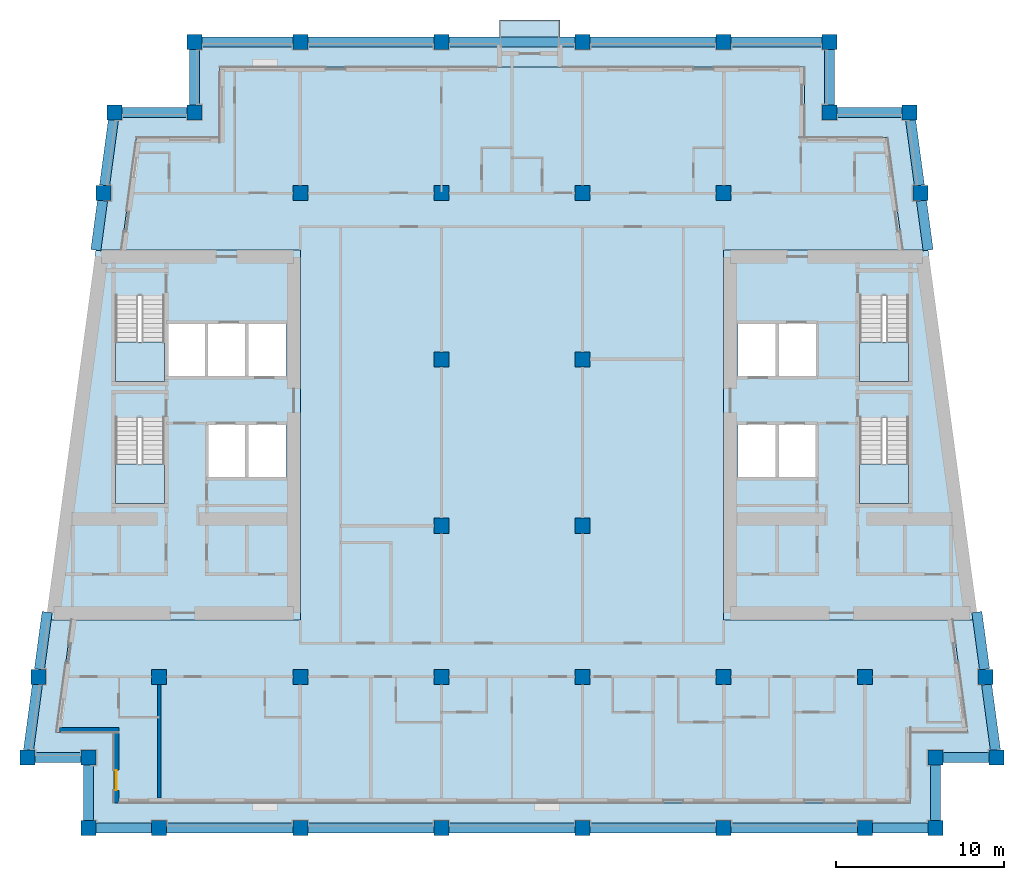
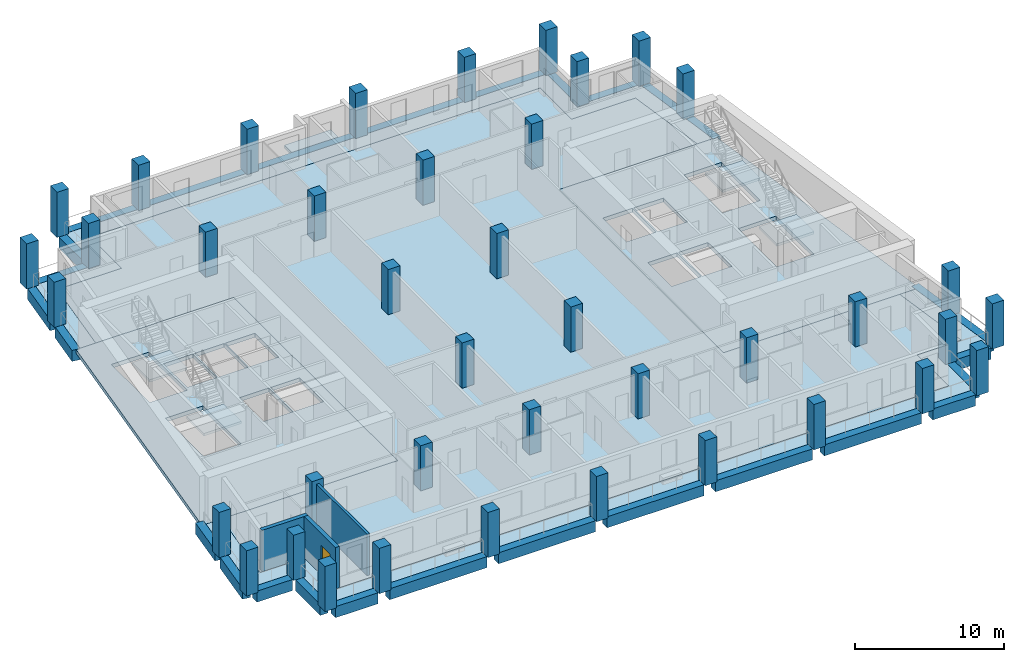
# One storey, part 1 of 13: 40 columns, 28 beams, 10 slabs, 3 walls, 1 door, 1 opening, 4 elements without a shape of their own.
"""IFC4 building model written with IfcOpenShell, lengths in metres."""

from ifc_helpers import new_model, si_unit, direction, frame, frame_2d, origin, origin_2d, place, context, subcontext, project, spatial, polyline, rectangle, outline, extrude, material, layer, layer_set, material_profile, profile_set, type_object, element, fill, aggregate, save


model = new_model("IFC4")

# Units and contexts
model_context = context("Model", 3, precision=1e-05, world=origin(), true_north=direction((0.0, 1.0)))
body_context = subcontext(model_context, "Body", "Model", "MODEL_VIEW")
ifc_project = project(units=[si_unit("LENGTHUNIT", "METRE"), si_unit("AREAUNIT", "SQUARE_METRE"), si_unit("VOLUMEUNIT", "CUBIC_METRE"), si_unit("PLANEANGLEUNIT", "RADIAN"), si_unit("MASSUNIT", "GRAM", prefix="KILO")], contexts=[model_context])

# Site, building, storey
site_placement = place(None, origin())
site = spatial("IfcSite", under=ifc_project, at=site_placement, CompositionType="ELEMENT")
building_placement = place(site_placement, origin())
building = spatial("IfcBuilding", under=site, at=building_placement, Name="Candeia Pilgrim Tower and Theatre", CompositionType="ELEMENT")
storey_placement = place(building_placement, frame((0.0, 0.0, 220.699951171875)))
storey = spatial("IfcBuildingStorey", under=building, at=storey_placement, Name="L53", CompositionType="ELEMENT", Elevation=220.699951171875)

# Columns
ifc_material_1 = material(Name="Concrete C50/60", Category="concrete")
ifc_material_profile_1 = material_profile(ifc_material_1, rectangle(XDim=0.89990234375, YDim=0.89990234375, at=origin_2d()))
ifc_profile_set_1 = profile_set([ifc_material_profile_1], Name="Concrete C50/60")
column_type = type_object("IfcColumnType", Name="RC 900x900 C50/60", PredefinedType="COLUMN", material=ifc_profile_set_1)
for number, where, z_axis, x_axis, name in (
    (1, (92.39990234375, 98.0, 0.0), (0.0, 0.0, 1.0), (1.0, 0.0, 0.0), "Column A1"),
    (2, (100.800048828125, 98.0, 0.0), (0.0, 0.0, 1.0), (1.0, 0.0, 0.0), "Column A2"),
    (3, (109.199951171875, 98.0, 0.0), (0.0, 0.0, 1.0), (1.0, 0.0, 0.0), "Column A3"),
    (4, (117.60009765625, 98.0, 0.0), (0.0, 0.0, 1.0), (1.0, 0.0, 0.0), "Column A4"),
    (5, (126.0, 98.0, 0.0), (0.0, 0.0, 1.0), (1.0, 0.0, 0.0), "Column A5"),
    (6, (134.39990234375, 98.0, 0.0), (0.0, 0.0, 1.0), (1.0, 0.0, 0.0), "Column A6"),
    (7, (88.199951171875, 98.0, 0.0), (0.0, 0.0, 1.0), (1.0, 0.0, 0.0), "Column AW"),
    (8, (138.60009765625, 98.0, 0.0), (0.0, 0.0, 1.0), (1.0, 0.0, 0.0), "Column AE"),
    (9, (88.199951171875, 102.199951171875, 0.0), (0.0, 0.0, 1.0), (1.0, 0.0, 0.0), "Column NSW"),
    (10, (138.60009765625, 102.199951171875, 0.0), (0.0, 0.0, 1.0), (1.0, 0.0, 0.0), "Column NSE"),
    (11, (94.5, 140.60009765625, 0.0), (0.0, 0.0, 1.0), (1.0, 0.0, 0.0), "Column NNW"),
    (12, (132.300048828125, 140.60009765625, 0.0), (0.0, 0.0, 1.0), (1.0, 0.0, 0.0), "Column NNE"),
    (13, (84.5654296875, 102.199951171875, 0.0), (0.0, 0.0, 1.0), (1.0, 0.0, 0.0), "Column LSW"),
    (14, (142.234619140625, 102.199951171875, 0.0), (0.0, 0.0, 1.0), (1.0, 0.0, 0.0), "Column LSE"),
    (15, (89.734619140625, 140.60009765625, 0.0), (0.0, 0.0, 1.0), (1.0, 0.0, 0.0), "Column LNW"),
    (16, (137.0654296875, 140.60009765625, 0.0), (0.0, 0.0, 1.0), (1.0, 0.0, 0.0), "Column LNE"),
    (17, (92.39990234375, 107.0, 0.0), (0.0, 0.0, 1.0), (1.0, 0.0, 0.0), "Column B1"),
    (18, (100.800048828125, 107.0, 0.0), (0.0, 0.0, 1.0), (1.0, 0.0, 0.0), "Column B2"),
    (19, (109.199951171875, 107.0, 0.0), (0.0, 0.0, 1.0), (1.0, 0.0, 0.0), "Column B3"),
    (20, (117.60009765625, 107.0, 0.0), (0.0, 0.0, 1.0), (1.0, 0.0, 0.0), "Column B4"),
    (21, (126.0, 107.0, 0.0), (0.0, 0.0, 1.0), (1.0, 0.0, 0.0), "Column B5"),
    (22, (134.39990234375, 107.0, 0.0), (0.0, 0.0, 1.0), (1.0, 0.0, 0.0), "Column B6"),
    (23, (85.21142578125, 107.0, 0.0), (0.0, 0.0, 1.0), (1.0, 0.0, 0.0), "Column BW"),
    (24, (141.58837890625, 107.0, 0.0), (0.0, 0.0, 1.0), (1.0, 0.0, 0.0), "Column BE"),
    (25, (109.199951171875, 116.0, 0.0), (0.0, 0.0, 1.0), (1.0, 0.0, 0.0), "Column C3"),
    (26, (117.60009765625, 116.0, 0.0), (0.0, 0.0, 1.0), (1.0, 0.0, 0.0), "Column C4"),
    (27, (109.199951171875, 125.89990234375, 0.0), (0.0, 0.0, 1.0), (1.0, 0.0, 0.0), "Column D3"),
    (28, (117.60009765625, 125.89990234375, 0.0), (0.0, 0.0, 1.0), (1.0, 0.0, 0.0), "Column D4"),
    (29, (100.800048828125, 135.800048828125, 0.0), (0.0, 0.0, 1.0), (1.0, 0.0, 0.0), "Column E2"),
    (30, (109.199951171875, 135.800048828125, 0.0), (0.0, 0.0, 1.0), (1.0, 0.0, 0.0), "Column E3"),
    (31, (117.60009765625, 135.800048828125, 0.0), (0.0, 0.0, 1.0), (1.0, 0.0, 0.0), "Column E4"),
    (32, (126.0, 135.800048828125, 0.0), (0.0, 0.0, 1.0), (1.0, 0.0, 0.0), "Column E5"),
    (33, (89.08837890625, 135.800048828125, 0.0), (0.0, 0.0, 1.0), (1.0, 0.0, 0.0), "Column EW"),
    (34, (137.71142578125, 135.800048828125, 0.0), (0.0, 0.0, 1.0), (1.0, 0.0, 0.0), "Column EE"),
    (35, (100.800048828125, 144.800048828125, 0.0), (0.0, 0.0, 1.0), (1.0, 0.0, 0.0), "Column F2"),
    (36, (109.199951171875, 144.800048828125, 0.0), (0.0, 0.0, 1.0), (1.0, 0.0, 0.0), "Column F3"),
    (37, (117.60009765625, 144.800048828125, 0.0), (0.0, 0.0, 1.0), (1.0, 0.0, 0.0), "Column F4"),
    (38, (126.0, 144.800048828125, 0.0), (0.0, 0.0, 1.0), (1.0, 0.0, 0.0), "Column F5"),
    (39, (94.5, 144.800048828125, 0.0), (0.0, 0.0, 1.0), (1.0, 0.0, 0.0), "Column FW"),
    (40, (132.300048828125, 144.800048828125, 0.0), (0.0, 0.0, 1.0), (1.0, 0.0, 0.0), "Column FE"),
):
    element("IfcColumn", number, at=place(storey_placement, frame(where, z_axis=z_axis, x_axis=x_axis)), inside=storey, type_object=column_type, Name=name, PredefinedType="COLUMN", context=body_context, shape_type="SweptSolid", body=[
        extrude(rectangle(XDim=0.89990234375, YDim=0.89990234375, at=origin_2d()), origin(), (0.0, 0.0, 1.0), 3.699951171875),
    ])

# Beams
ifc_material_profile_2 = material_profile(ifc_material_1, rectangle(XDim=0.60009765625, YDim=0.89990234375, at=origin_2d()))
ifc_profile_set_2 = profile_set([ifc_material_profile_2], Name="Concrete C50/60")
beam_type = type_object("IfcBeamType", Name="RC 600x900 C50/60", PredefinedType="BEAM", material=ifc_profile_set_2)
beam_1_placement = place(storey_placement, frame((88.64990234375, 98.0, -0.449951171875), z_axis=(1.0, 0.0, 0.0), x_axis=(0.0, 1.0, 0.0)))
element("IfcBeam", 41, at=beam_1_placement, inside=storey, type_object=beam_type, Name="Spandrel beam L53-01", PredefinedType="BEAM", context=body_context, shape_type="SweptSolid", body=[
    extrude(rectangle(XDim=0.60009765625, YDim=0.89990234375, at=origin_2d()), origin(), (0.0, 0.0, 1.0), 3.300048828125),
])
for number, where, z_axis, x_axis, name in (
    (42, (92.85009765625, 98.0, -0.449951171875), (1.0, 0.0, 0.0), (0.0, 1.0, 0.0), "Spandrel beam L53-02"),
    (43, (101.25, 98.0, -0.449951171875), (1.0, 0.0, 0.0), (0.0, 1.0, 0.0), "Spandrel beam L53-03"),
    (44, (109.64990234375, 98.0, -0.449951171875), (1.0, 0.0, 0.0), (0.0, 1.0, 0.0), "Spandrel beam L53-04"),
    (45, (118.050048828125, 98.0, -0.449951171875), (1.0, 0.0, 0.0), (0.0, 1.0, 0.0), "Spandrel beam L53-05"),
    (46, (126.449951171875, 98.0, -0.449951171875), (1.0, 0.0, 0.0), (0.0, 1.0, 0.0), "Spandrel beam L53-06"),
):
    element("IfcBeam", number, at=place(storey_placement, frame(where, z_axis=z_axis, x_axis=x_axis)), inside=storey, type_object=beam_type, Name=name, PredefinedType="BEAM", context=body_context, shape_type="SweptSolid", body=[
        extrude(rectangle(XDim=0.60009765625, YDim=0.89990234375, at=origin_2d()), origin(), (0.0, 0.0, 1.0), 7.5),
    ])
beam_2_placement = place(storey_placement, frame((134.85009765625, 98.0, -0.449951171875), z_axis=(1.0, 0.0, 0.0), x_axis=(0.0, 1.0, 0.0)))
element("IfcBeam", 47, at=beam_2_placement, inside=storey, type_object=beam_type, Name="Spandrel beam L53-07", PredefinedType="BEAM", context=body_context, shape_type="SweptSolid", body=[
    extrude(rectangle(XDim=0.60009765625, YDim=0.89990234375, at=origin_2d()), origin(), (0.0, 0.0, 1.0), 3.2998046875),
])
beam_3_placement = place(storey_placement, frame((138.60009765625, 98.449951171875, -0.449951171875), z_axis=(0.0, 1.0, 0.0), x_axis=(-1.0, 0.0, 0.0)))
element("IfcBeam", 48, at=beam_3_placement, inside=storey, type_object=beam_type, Name="Spandrel beam L53-08", PredefinedType="BEAM", context=body_context, shape_type="SweptSolid", body=[
    extrude(rectangle(XDim=0.60009765625, YDim=0.89990234375, at=origin_2d()), origin(), (0.0, 0.0, 1.0), 3.300048828125),
])
beam_4_placement = place(storey_placement, frame((139.050048828125, 102.199951171875, -0.449951171875), z_axis=(1.0, 0.0, 0.0), x_axis=(0.0, 1.0, 0.0)))
element("IfcBeam", 49, at=beam_4_placement, inside=storey, type_object=beam_type, Name="Spandrel beam L53-09", PredefinedType="BEAM", context=body_context, shape_type="SweptSolid", body=[
    extrude(rectangle(XDim=0.60009765625, YDim=0.89990234375, at=origin_2d()), origin(), (0.0, 0.0, 1.0), 2.734619140625),
])
beam_5_placement = place(storey_placement, frame((142.174072265625, 102.64990234375, -0.449951171875), z_axis=(-0.133443650757, 0.991056402064, 0.0), x_axis=(-0.991056402064, -0.133443650757, 0.0)))
element("IfcBeam", 50, at=beam_5_placement, inside=storey, type_object=beam_type, Name="Spandrel beam L53-10", PredefinedType="BEAM", context=body_context, shape_type="SweptSolid", body=[
    extrude(rectangle(XDim=0.60009765625, YDim=0.89990234375, at=origin_2d()), origin(), (0.0, 0.0, 1.0), 3.935302734375),
])
beam_6_placement = place(storey_placement, frame((141.52783203125, 107.449951171875, -0.449951171875), z_axis=(-0.133374411439, 0.99106572253, 0.0), x_axis=(-0.99106572253, -0.133374411439, 0.0)))
element("IfcBeam", 51, at=beam_6_placement, inside=storey, type_object=beam_type, Name="Spandrel beam L53-11", PredefinedType="BEAM", context=body_context, shape_type="SweptSolid", body=[
    extrude(rectangle(XDim=0.60009765625, YDim=0.89990234375, at=origin_2d()), origin(), (0.0, 0.0, 1.0), 3.43408203125),
])
beam_7_placement = place(storey_placement, frame((138.169189453125, 132.39990234375, -0.449951171875), z_axis=(-0.133356242983, 0.991068167412, 0.0), x_axis=(-0.991068167412, -0.133356242983, 0.0)))
element("IfcBeam", 52, at=beam_7_placement, inside=storey, type_object=beam_type, Name="Spandrel beam L53-12", PredefinedType="BEAM", context=body_context, shape_type="SweptSolid", body=[
    extrude(rectangle(XDim=0.60009765625, YDim=0.89990234375, at=origin_2d()), origin(), (0.0, 0.0, 1.0), 2.976806640625),
])
beam_8_placement = place(storey_placement, frame((137.65087890625, 136.25, -0.449951171875), z_axis=(-0.133390918184, 0.991063500965, 0.0), x_axis=(-0.991063500965, -0.133390918184, 0.0)))
element("IfcBeam", 53, at=beam_8_placement, inside=storey, type_object=beam_type, Name="Spandrel beam L53-13", PredefinedType="BEAM", context=body_context, shape_type="SweptSolid", body=[
    extrude(rectangle(XDim=0.60009765625, YDim=0.89990234375, at=origin_2d()), origin(), (0.0, 0.0, 1.0), 3.93505859375),
])
beam_9_placement = place(storey_placement, frame((136.615478515625, 140.60009765625, -0.449951171875), z_axis=(-1.0, 0.0, 0.0), x_axis=(0.0, -1.0, 0.0)))
element("IfcBeam", 54, at=beam_9_placement, inside=storey, type_object=beam_type, Name="Spandrel beam L53-14", PredefinedType="BEAM", context=body_context, shape_type="SweptSolid", body=[
    extrude(rectangle(XDim=0.60009765625, YDim=0.89990234375, at=origin_2d()), origin(), (0.0, 0.0, 1.0), 3.865478515625),
])
beam_10_placement = place(storey_placement, frame((132.300048828125, 141.050048828125, -0.449951171875), z_axis=(0.0, 1.0, 0.0), x_axis=(-1.0, 0.0, 0.0)))
element("IfcBeam", 55, at=beam_10_placement, inside=storey, type_object=beam_type, Name="Spandrel beam L53-15", PredefinedType="BEAM", context=body_context, shape_type="SweptSolid", body=[
    extrude(rectangle(XDim=0.60009765625, YDim=0.89990234375, at=origin_2d()), origin(), (0.0, 0.0, 1.0), 3.300048828125),
])
beam_11_placement = place(storey_placement, frame((131.85009765625, 144.800048828125, -0.449951171875), z_axis=(-1.0, 0.0, 0.0), x_axis=(0.0, -1.0, 0.0)))
element("IfcBeam", 56, at=beam_11_placement, inside=storey, type_object=beam_type, Name="Spandrel beam L53-16", PredefinedType="BEAM", context=body_context, shape_type="SweptSolid", body=[
    extrude(rectangle(XDim=0.60009765625, YDim=0.89990234375, at=origin_2d()), origin(), (0.0, 0.0, 1.0), 5.400146484375),
])
for number, where, z_axis, x_axis, name in (
    (57, (125.550048828125, 144.800048828125, -0.449951171875), (-1.0, 0.0, 0.0), (0.0, -1.0, 0.0), "Spandrel beam L53-17"),
    (58, (117.14990234375, 144.800048828125, -0.449951171875), (-1.0, 0.0, 0.0), (0.0, -1.0, 0.0), "Spandrel beam L53-18"),
    (59, (108.75, 144.800048828125, -0.449951171875), (-1.0, 0.0, 0.0), (0.0, -1.0, 0.0), "Spandrel beam L53-19"),
):
    element("IfcBeam", number, at=place(storey_placement, frame(where, z_axis=z_axis, x_axis=x_axis)), inside=storey, type_object=beam_type, Name=name, PredefinedType="BEAM", context=body_context, shape_type="SweptSolid", body=[
        extrude(rectangle(XDim=0.60009765625, YDim=0.89990234375, at=origin_2d()), origin(), (0.0, 0.0, 1.0), 7.5),
    ])
beam_12_placement = place(storey_placement, frame((100.35009765625, 144.800048828125, -0.449951171875), z_axis=(-1.0, 0.0, 0.0), x_axis=(0.0, -1.0, 0.0)))
element("IfcBeam", 60, at=beam_12_placement, inside=storey, type_object=beam_type, Name="Spandrel beam L53-20", PredefinedType="BEAM", context=body_context, shape_type="SweptSolid", body=[
    extrude(rectangle(XDim=0.60009765625, YDim=0.89990234375, at=origin_2d()), origin(), (0.0, 0.0, 1.0), 5.400146484375),
])
beam_13_placement = place(storey_placement, frame((94.5, 144.35009765625, -0.449951171875), z_axis=(0.0, -1.0, 0.0), x_axis=(1.0, 0.0, 0.0)))
element("IfcBeam", 61, at=beam_13_placement, inside=storey, type_object=beam_type, Name="Spandrel beam L53-21", PredefinedType="BEAM", context=body_context, shape_type="SweptSolid", body=[
    extrude(rectangle(XDim=0.60009765625, YDim=0.89990234375, at=origin_2d()), origin(), (0.0, 0.0, 1.0), 3.300048828125),
])
beam_14_placement = place(storey_placement, frame((94.050048828125, 140.60009765625, -0.449951171875), z_axis=(-1.0, 0.0, 0.0), x_axis=(0.0, -1.0, 0.0)))
element("IfcBeam", 62, at=beam_14_placement, inside=storey, type_object=beam_type, Name="Spandrel beam L53-22", PredefinedType="BEAM", context=body_context, shape_type="SweptSolid", body=[
    extrude(rectangle(XDim=0.60009765625, YDim=0.89990234375, at=origin_2d()), origin(), (0.0, 0.0, 1.0), 3.865478515625),
])
beam_15_placement = place(storey_placement, frame((89.674072265625, 140.14990234375, -0.449951171875), z_axis=(-0.133451855788, -0.99105529724, 0.0), x_axis=(0.99105529724, -0.133451855788, 0.0)))
element("IfcBeam", 63, at=beam_15_placement, inside=storey, type_object=beam_type, Name="Spandrel beam L53-23", PredefinedType="BEAM", context=body_context, shape_type="SweptSolid", body=[
    extrude(rectangle(XDim=0.60009765625, YDim=0.89990234375, at=origin_2d()), origin(), (0.0, 0.0, 1.0), 3.93505859375),
])
beam_16_placement = place(storey_placement, frame((89.02783203125, 135.35009765625, -0.449951171875), z_axis=(-0.133356242983, -0.991068167412, 0.0), x_axis=(0.991068167412, -0.133356242983, 0.0)))
element("IfcBeam", 64, at=beam_16_placement, inside=storey, type_object=beam_type, Name="Spandrel beam L53-24", PredefinedType="BEAM", context=body_context, shape_type="SweptSolid", body=[
    extrude(rectangle(XDim=0.60009765625, YDim=0.89990234375, at=origin_2d()), origin(), (0.0, 0.0, 1.0), 2.976806640625),
])
beam_17_placement = place(storey_placement, frame((85.730224609375, 110.853271484375, -0.449951171875), z_axis=(-0.133374411439, -0.99106572253, 0.0), x_axis=(0.99106572253, -0.133374411439, 0.0)))
element("IfcBeam", 65, at=beam_17_placement, inside=storey, type_object=beam_type, Name="Spandrel beam L53-25", PredefinedType="BEAM", context=body_context, shape_type="SweptSolid", body=[
    extrude(rectangle(XDim=0.60009765625, YDim=0.89990234375, at=origin_2d()), origin(), (0.0, 0.0, 1.0), 3.43408203125),
])
beam_18_placement = place(storey_placement, frame((85.15087890625, 106.550048828125, -0.449951171875), z_axis=(-0.133382716764, -0.991064604791, 0.0), x_axis=(0.991064604791, -0.133382716764, 0.0)))
element("IfcBeam", 66, at=beam_18_placement, inside=storey, type_object=beam_type, Name="Spandrel beam L53-26", PredefinedType="BEAM", context=body_context, shape_type="SweptSolid", body=[
    extrude(rectangle(XDim=0.60009765625, YDim=0.89990234375, at=origin_2d()), origin(), (0.0, 0.0, 1.0), 3.935302734375),
])
beam_19_placement = place(storey_placement, frame((85.015380859375, 102.199951171875, -0.449951171875), z_axis=(1.0, 0.0, 0.0), x_axis=(0.0, 1.0, 0.0)))
element("IfcBeam", 67, at=beam_19_placement, inside=storey, type_object=beam_type, Name="Spandrel beam L53-27", PredefinedType="BEAM", context=body_context, shape_type="SweptSolid", body=[
    extrude(rectangle(XDim=0.60009765625, YDim=0.89990234375, at=origin_2d()), origin(), (0.0, 0.0, 1.0), 2.734619140625),
])
beam_20_placement = place(storey_placement, frame((88.199951171875, 101.75, -0.449951171875), z_axis=(0.0, -1.0, 0.0), x_axis=(1.0, 0.0, 0.0)))
element("IfcBeam", 68, at=beam_20_placement, inside=storey, type_object=beam_type, Name="Spandrel beam L53-28", PredefinedType="BEAM", context=body_context, shape_type="SweptSolid", body=[
    extrude(rectangle(XDim=0.60009765625, YDim=0.89990234375, at=origin_2d()), origin(), (0.0, 0.0, 1.0), 3.300048828125),
])

# Slabs
ifc_material_2 = material(Name="Concrete C40/50", Category="concrete")
ifc_layer_1 = layer(ifc_material_2, 0.25)
ifc_layer_set_1 = layer_set([ifc_layer_1], Name="BK1 balcony slab 250")
slab_type_1 = type_object("IfcSlabType", Name="BK1 balcony slab 250", PredefinedType="USERDEFINED", material=ifc_layer_set_1)
slab_1_placement = place(storey_placement, frame((0.0, 0.0, -0.25)))
element("IfcSlab", 69, at=slab_1_placement, inside=storey, type_object=slab_type_1, Name="Balcony L53", ObjectType="BALCONY", PredefinedType="USERDEFINED", context=body_context, shape_type="SweptSolid", body=[
    extrude(outline(polyline([(112.64990234375, 144.5), (116.25, 144.5), (116.25, 146.10009765625), (112.64990234375, 146.10009765625), (112.64990234375, 144.5)])), origin(), (0.0, 0.0, 1.0), 0.25),
])
ifc_material_3 = material(Name="Concrete C60/75", Category="concrete")
ifc_layer_2 = layer(ifc_material_3, 0.320068359375)
ifc_layer_set_2 = layer_set([ifc_layer_2], Name="FS-CORE 320 core floor")
slab_type_2 = type_object("IfcSlabType", Name="FS-CORE 320 core floor", PredefinedType="FLOOR", material=ifc_layer_set_2)
slab_2_placement = place(storey_placement, frame((0.0, 0.0, -0.320068359375)))
element("IfcSlab", 70, at=slab_2_placement, inside=storey, type_object=slab_type_2, Name="Core floor W L53", PredefinedType="FLOOR", context=body_context, shape_type="SweptSolid", body=[
    extrude(outline(polyline([(100.800048828125, 132.39990234375), (100.800048828125, 110.39990234375), (85.669189453125, 110.39990234375), (88.630859375, 132.39990234375), (100.800048828125, 132.39990234375)]), holes=[polyline([(97.658935546875, 128.050048828125), (97.658935546875, 124.85009765625), (99.949951171875, 124.85009765625), (99.949951171875, 128.050048828125), (97.658935546875, 128.050048828125)]), polyline([(97.66357421875, 122.050048828125), (97.66357421875, 118.85009765625), (99.949951171875, 118.85009765625), (99.949951171875, 122.050048828125), (97.66357421875, 122.050048828125)]), polyline([(95.277099609375, 122.050048828125), (95.277099609375, 118.85009765625), (97.5634765625, 118.85009765625), (97.5634765625, 122.050048828125), (95.277099609375, 122.050048828125)]), polyline([(95.26806640625, 128.050048828125), (95.26806640625, 124.85009765625), (97.55908203125, 124.85009765625), (97.55908203125, 128.050048828125), (95.26806640625, 128.050048828125)]), polyline([(92.876953125, 128.050048828125), (92.876953125, 124.85009765625), (95.16796875, 124.85009765625), (95.16796875, 128.050048828125), (92.876953125, 128.050048828125)]), polyline([(89.802001953125, 117.324951171875), (92.701904296875, 117.324951171875), (92.701904296875, 122.455078125), (89.802001953125, 122.455078125), (89.802001953125, 117.324951171875)]), polyline([(89.802001953125, 129.705078125), (89.802001953125, 124.574951171875), (92.701904296875, 124.574951171875), (92.701904296875, 129.705078125), (89.802001953125, 129.705078125)])]), origin(), (0.0, 0.0, 1.0), 0.320068359375),
])
slab_3_placement = place(storey_placement, frame((0.0, 0.0, -0.320068359375)))
element("IfcSlab", 71, at=slab_3_placement, inside=storey, type_object=slab_type_2, Name="Core floor E L53", PredefinedType="FLOOR", context=body_context, shape_type="SweptSolid", body=[
    extrude(outline(polyline([(138.169189453125, 132.39990234375), (141.130859375, 110.39990234375), (126.0, 110.39990234375), (126.0, 132.39990234375), (138.169189453125, 132.39990234375)]), holes=[polyline([(134.097900390625, 117.324951171875), (136.998046875, 117.324951171875), (136.998046875, 122.455078125), (134.097900390625, 122.455078125), (134.097900390625, 117.324951171875)]), polyline([(134.097900390625, 129.705078125), (134.097900390625, 124.574951171875), (136.998046875, 124.574951171875), (136.998046875, 129.705078125), (134.097900390625, 129.705078125)]), polyline([(131.531982421875, 128.050048828125), (129.240966796875, 128.050048828125), (129.240966796875, 124.85009765625), (131.531982421875, 124.85009765625), (131.531982421875, 128.050048828125)]), polyline([(131.52294921875, 122.050048828125), (129.236572265625, 122.050048828125), (129.236572265625, 118.85009765625), (131.52294921875, 118.85009765625), (131.52294921875, 122.050048828125)]), polyline([(126.85009765625, 128.050048828125), (126.85009765625, 124.85009765625), (129.14111328125, 124.85009765625), (129.14111328125, 128.050048828125), (126.85009765625, 128.050048828125)]), polyline([(129.136474609375, 122.050048828125), (126.85009765625, 122.050048828125), (126.85009765625, 118.85009765625), (129.136474609375, 118.85009765625), (129.136474609375, 122.050048828125)])]), origin(), (0.0, 0.0, 1.0), 0.320068359375),
])
ifc_layer_3 = layer(ifc_material_1, 0.320068359375)
ifc_layer_set_3 = layer_set([ifc_layer_3], Name="Floor slab 320 C50/60")
slab_type_3 = type_object("IfcSlabType", Name="Floor slab 320 C50/60", PredefinedType="FLOOR", material=ifc_layer_set_3)
slab_4_placement = place(storey_placement, frame((0.0, 0.0, -0.320068359375)))
element("IfcSlab", 72, at=slab_4_placement, inside=storey, type_object=slab_type_3, Name="Floor slab L53", PredefinedType="FLOOR", context=body_context, shape_type="SweptSolid", body=[
    extrude(outline(polyline([(96.0, 139.10009765625), (96.0, 143.300048828125), (130.800048828125, 143.300048828125), (130.800048828125, 139.10009765625), (135.753662109375, 139.10009765625), (136.65576171875, 132.39990234375), (126.0, 132.39990234375), (126.0, 110.39990234375), (139.6171875, 110.39990234375), (140.51904296875, 103.699951171875), (137.10009765625, 103.699951171875), (137.10009765625, 99.5), (89.699951171875, 99.5), (89.699951171875, 103.699951171875), (86.28076171875, 103.699951171875), (87.182861328125, 110.39990234375), (100.800048828125, 110.39990234375), (100.800048828125, 132.39990234375), (90.144287109375, 132.39990234375), (91.046142578125, 139.10009765625), (96.0, 139.10009765625)])), origin(), (0.0, 0.0, 1.0), 0.320068359375),
])
ifc_layer_4 = layer(ifc_material_2, 0.25)
ifc_layer_set_4 = layer_set([ifc_layer_4], Name="Loggia slab 250 C40/50")
slab_type_4 = type_object("IfcSlabType", Name="Loggia slab 250 C40/50", PredefinedType="FLOOR", material=ifc_layer_set_4)
slab_5_placement = place(storey_placement, frame((0.0, 0.0, -0.25)))
element("IfcSlab", 73, at=slab_5_placement, inside=storey, type_object=slab_type_4, Name="Loggia slab L53 1", PredefinedType="FLOOR", context=body_context, shape_type="SweptSolid", body=[
    extrude(outline(polyline([(87.182861328125, 110.39990234375), (86.28076171875, 103.699951171875), (89.699951171875, 103.699951171875), (89.699951171875, 99.5), (137.10009765625, 99.5), (137.10009765625, 103.699951171875), (140.51904296875, 103.699951171875), (139.6171875, 110.39990234375), (140.828125, 110.39990234375), (141.8916015625, 102.5), (138.300048828125, 102.5), (138.300048828125, 98.300048828125), (88.5, 98.300048828125), (88.5, 102.5), (84.908447265625, 102.5), (85.971923828125, 110.39990234375), (87.182861328125, 110.39990234375)])), origin(), (0.0, 0.0, 1.0), 0.25),
])
slab_6_placement = place(storey_placement, frame((0.0, 0.0, -0.25)))
element("IfcSlab", 74, at=slab_6_placement, inside=storey, type_object=slab_type_4, Name="Loggia slab L53 2", PredefinedType="FLOOR", context=body_context, shape_type="SweptSolid", body=[
    extrude(outline(polyline([(136.65576171875, 132.39990234375), (135.753662109375, 139.10009765625), (130.800048828125, 139.10009765625), (130.800048828125, 143.300048828125), (96.0, 143.300048828125), (96.0, 139.10009765625), (91.046142578125, 139.10009765625), (90.144287109375, 132.39990234375), (88.93359375, 132.39990234375), (89.996826171875, 140.300048828125), (94.800048828125, 140.300048828125), (94.800048828125, 144.5), (132.0, 144.5), (132.0, 140.300048828125), (136.802978515625, 140.300048828125), (137.866455078125, 132.39990234375), (136.65576171875, 132.39990234375)])), origin(), (0.0, 0.0, 1.0), 0.25),
])

# Stair, slab
stair_type = type_object("IfcStairType", Name="ST-TWR dog-leg escape stair", PredefinedType="HALF_TURN_STAIR", material=ifc_material_2)
stair_1_placement = place(storey_placement, origin())
stair_1 = element("IfcStair", 75, at=stair_1_placement, inside=storey, type_object=stair_type, Name="L53 Escape stair ST1", PredefinedType="HALF_TURN_STAIR")
ifc_layer_5 = layer(ifc_material_2, 0.199951171875)
ifc_layer_set_5 = layer_set([ifc_layer_5], Name="SL-LANDING stair landing")
slab_type_5 = type_object("IfcSlabType", Name="SL-LANDING stair landing", PredefinedType="LANDING", material=ifc_layer_set_5)
slab_7_placement = place(storey_placement, frame((0.0, 0.0, 1.650146484375)))
slab_7 = element("IfcSlab", 76, at=slab_7_placement, type_object=slab_type_5, Name="ST1 landing 1", PredefinedType="LANDING", context=body_context, shape_type="SweptSolid", body=[
    extrude(outline(polyline([(89.802001953125, 119.675048828125), (89.802001953125, 117.324951171875), (92.701904296875, 117.324951171875), (92.701904296875, 119.675048828125), (89.802001953125, 119.675048828125)])), origin(), (0.0, 0.0, 1.0), 0.199951171875),
])
aggregate(stair_1, [slab_7])

stair_2_placement = place(storey_placement, origin())
stair_2 = element("IfcStair", 77, at=stair_2_placement, inside=storey, type_object=stair_type, Name="L53 Escape stair ST2", PredefinedType="HALF_TURN_STAIR")
slab_8_placement = place(storey_placement, frame((0.0, 0.0, 1.650146484375)))
slab_8 = element("IfcSlab", 78, at=slab_8_placement, type_object=slab_type_5, Name="ST2 landing 1", PredefinedType="LANDING", context=body_context, shape_type="SweptSolid", body=[
    extrude(outline(polyline([(89.802001953125, 126.925048828125), (89.802001953125, 124.574951171875), (92.701904296875, 124.574951171875), (92.701904296875, 126.925048828125), (89.802001953125, 126.925048828125)])), origin(), (0.0, 0.0, 1.0), 0.199951171875),
])
aggregate(stair_2, [slab_8])

stair_3_placement = place(storey_placement, origin())
stair_3 = element("IfcStair", 79, at=stair_3_placement, inside=storey, type_object=stair_type, Name="L53 Escape stair ST3", PredefinedType="HALF_TURN_STAIR")
slab_9_placement = place(storey_placement, frame((0.0, 0.0, 1.650146484375)))
slab_9 = element("IfcSlab", 80, at=slab_9_placement, type_object=slab_type_5, Name="ST3 landing 1", PredefinedType="LANDING", context=body_context, shape_type="SweptSolid", body=[
    extrude(outline(polyline([(134.097900390625, 119.675048828125), (134.097900390625, 117.324951171875), (136.998046875, 117.324951171875), (136.998046875, 119.675048828125), (134.097900390625, 119.675048828125)])), origin(), (0.0, 0.0, 1.0), 0.199951171875),
])
aggregate(stair_3, [slab_9])

stair_4_placement = place(storey_placement, origin())
stair_4 = element("IfcStair", 81, at=stair_4_placement, inside=storey, type_object=stair_type, Name="L53 Escape stair ST4", PredefinedType="HALF_TURN_STAIR")
slab_10_placement = place(storey_placement, frame((0.0, 0.0, 1.650146484375)))
slab_10 = element("IfcSlab", 82, at=slab_10_placement, type_object=slab_type_5, Name="ST4 landing 1", PredefinedType="LANDING", context=body_context, shape_type="SweptSolid", body=[
    extrude(outline(polyline([(134.097900390625, 126.925048828125), (134.097900390625, 124.574951171875), (136.998046875, 124.574951171875), (136.998046875, 126.925048828125), (134.097900390625, 126.925048828125)])), origin(), (0.0, 0.0, 1.0), 0.199951171875),
])
aggregate(stair_4, [slab_10])

# Wall
ifc_material_4 = material(Name="Ceramic block masonry", Category="masonry")
ifc_layer_6 = layer(ifc_material_4, 0.300048828125)
ifc_layer_set_6 = layer_set([ifc_layer_6], Name="EW1 glazing-line wall 300")
wall_type_1 = type_object("IfcWallType", Name="EW1 glazing-line wall 300", PredefinedType="SOLIDWALL", material=ifc_layer_set_6)
wall_1_placement = place(storey_placement, frame((86.452392578125, 103.85009765625, 0.0), z_axis=(0.0, 0.0, 1.0), x_axis=(1.0, 0.0, 0.0)))
element("IfcWall", 83, at=wall_1_placement, inside=storey, type_object=wall_type_1, Name="External wall L53-10.0", PredefinedType="SOLIDWALL", context=body_context, shape_type="SweptSolid", body=[
    extrude(rectangle(XDim=3.547607421875, YDim=0.300048828125, at=frame_2d((1.77392578125, 0.0))), origin(), (0.0, 0.0, 1.0), 3.380126953125),
])

# Wall, opening, door
wall_2_placement = place(storey_placement, frame((89.85009765625, 103.85009765625, 0.0), z_axis=(0.0, 0.0, 1.0), x_axis=(0.0, -1.0, 0.0)))
wall_2 = element("IfcWall", 84, at=wall_2_placement, inside=storey, type_object=wall_type_1, Name="External wall L53-11.0", PredefinedType="SOLIDWALL", context=body_context, shape_type="SweptSolid", body=[
    extrude(rectangle(XDim=4.35009765625, YDim=0.300048828125, at=frame_2d((2.175048828125, 0.0))), origin(), (0.0, 0.0, 1.0), 3.380126953125),
])
opening_placement = place(wall_2_placement, frame((2.39990234375, 0.0, 0.0)))
opening = element("IfcOpeningElement", 85, at=opening_placement, cuts=wall_2, Name="Opening L53-ED514", PredefinedType="OPENING", context=body_context, shape_type="SweptSolid", body=[
    extrude(rectangle(XDim=1.199951171875, YDim=2.39990234375, at=frame_2d((0.60009765625, 1.199951171875))), frame((0.0, 0.16015625, 0.0), z_axis=(0.0, -1.0, 0.0), x_axis=(1.0, 0.0, 0.0)), (0.0, 0.0, 1.0), 0.320068359375),
])
ifc_material_5 = material(Name="Aluminium framed glazed door", Category="aluminium")
door_type = type_object("IfcDoorType", Name="Loggia door 1200x2400", OperationType="DOUBLE_DOOR_SINGLE_SWING", PredefinedType="DOOR", material=ifc_material_5)
door_placement = place(opening_placement, origin())
door = element("IfcDoor", 86, at=door_placement, inside=storey, type_object=door_type, Name="Loggia door L53-ED514", OperationType="DOUBLE_DOOR_SINGLE_SWING", OverallHeight=2.39990234375, OverallWidth=1.199951171875, PredefinedType="DOOR", context=body_context, shape_type="SweptSolid", body=[
    extrude(rectangle(XDim=1.199951171875, YDim=2.39990234375, at=frame_2d((0.60009765625, 1.199951171875))), frame((0.0, 0.02490234375, 0.0), z_axis=(0.0, -1.0, 0.0), x_axis=(1.0, 0.0, 0.0)), (0.0, 0.0, 1.0), 0.050048828125),
])
fill(opening, door)

# Wall
ifc_material_6 = material(Name="Gypsum board partition on steel studs", Category="steel")
ifc_layer_7 = layer(ifc_material_6, 0.199951171875)
ifc_layer_set_7 = layer_set([ifc_layer_7], Name="PW-200 party wall")
wall_type_2 = type_object("IfcWallType", Name="PW-200 party wall", PredefinedType="PARTITIONING", material=ifc_layer_set_7)
wall_3_placement = place(storey_placement, frame((92.39990234375, 99.7900390625, 0.0), z_axis=(0.0, 0.0, 1.0), x_axis=(0.0, 1.0, 0.0)))
element("IfcWall", 87, at=wall_3_placement, inside=storey, type_object=wall_type_2, Name="Party wall L53-056", PredefinedType="PARTITIONING", context=body_context, shape_type="SweptSolid", body=[
    extrude(rectangle(XDim=7.135009765625, YDim=0.199951171875, at=frame_2d((3.5673828125, 0.0))), origin(), (0.0, 0.0, 1.0), 3.380126953125),
])

save(model, "model.ifc")
